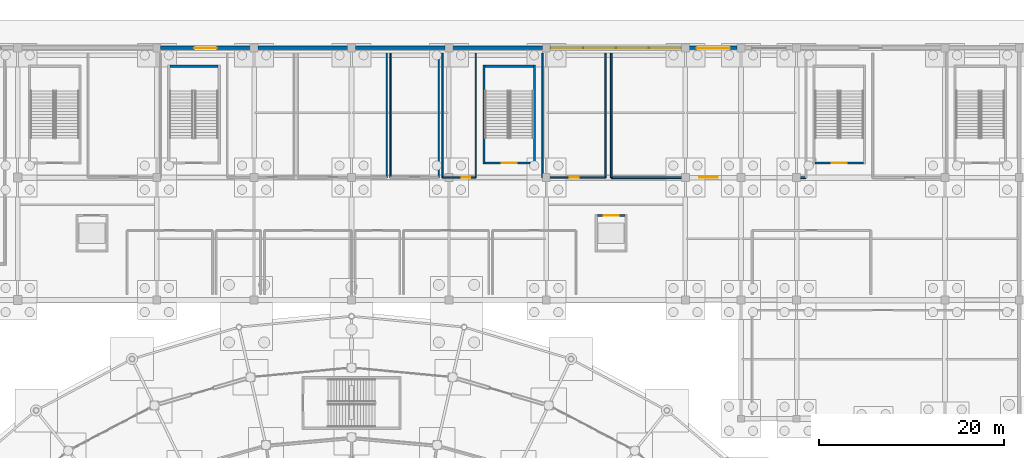
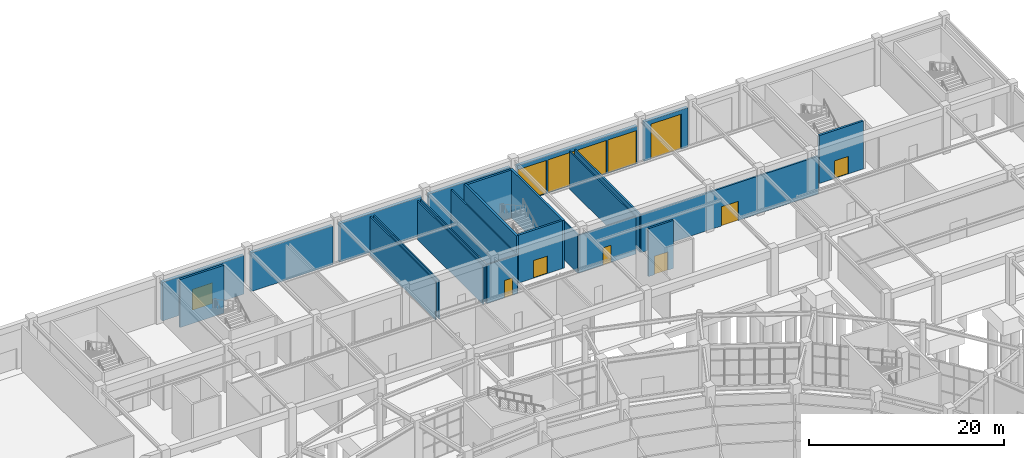
# One storey, part 94 of 121: 24 walls, 12 doors, 12 openings.
"""IFC4 building model written with IfcOpenShell, lengths in metres."""

from ifc_helpers import new_model, si_unit, direction, frame, frame_2d, origin, place, context, subcontext, project, spatial, rectangle, extrude, material, layer, layer_set, type_object, element, fill, save


model = new_model("IFC4")

# Units and contexts
model_context = context("Model", 3, precision=1e-05, world=origin(), true_north=direction((0.0, 1.0)))
body_context = subcontext(model_context, "Body", "Model", "MODEL_VIEW")
ifc_project = project(units=[si_unit("LENGTHUNIT", "METRE"), si_unit("AREAUNIT", "SQUARE_METRE"), si_unit("VOLUMEUNIT", "CUBIC_METRE"), si_unit("PLANEANGLEUNIT", "RADIAN"), si_unit("MASSUNIT", "GRAM", prefix="KILO")], contexts=[model_context])

# Site, building, storey
site_placement = place(None, origin())
site = spatial("IfcSite", under=ifc_project, at=site_placement, CompositionType="ELEMENT")
building_placement = place(site_placement, origin())
building = spatial("IfcBuilding", under=site, at=building_placement, Name="Cuetzalor Civic Arena", CompositionType="ELEMENT")
storey_placement = place(building_placement, origin())
storey = spatial("IfcBuildingStorey", under=building, at=storey_placement, Name="L00", CompositionType="ELEMENT", Elevation=0.0)

# Walls
ifc_material_1 = material(Name="Acoustic steel-stud gypsum partition", Category="steel")
ifc_layer_1 = layer(ifc_material_1, 0.14990234375)
ifc_layer_set_1 = layer_set([ifc_layer_1], Name="Acoustic steel-stud gypsum partition")
wall_type_1 = type_object("IfcWallType", Name="AcousticGypsumPartition_150", PredefinedType="PARTITIONING", material=ifc_layer_set_1)
for number, where, z_axis, x_axis, name in (
    (1, (3.800048828125, 74.89990234375, 0.0), (0.0, 0.0, 1.0), (0.0, -1.0, 0.0), "Interior Partition IWALL:L00:0141"),
    (2, (9.39990234375, 74.89990234375, 0.0), (0.0, 0.0, 1.0), (0.0, -1.0, 0.0), "Interior Partition IWALL:L00:0144"),
    (3, (4.199951171875, 61.5, 0.0), (0.0, 0.0, 1.0), (0.0, 1.0, 0.0), "Interior Partition IWALL:L00:0145"),
):
    element("IfcWall", number, at=place(storey_placement, frame(where, z_axis=z_axis, x_axis=x_axis)), inside=storey, type_object=wall_type_1, Name=name, PredefinedType="PARTITIONING", context=body_context, shape_type="SweptSolid", body=[
        extrude(rectangle(XDim=13.39990234375, YDim=0.14990234375, at=frame_2d((6.699951171875, 0.0))), origin(), (0.0, 0.0, 1.0), 4.824951171875),
    ])

# Wall, opening, door
wall_1_placement = place(storey_placement, frame((13.39990234375, 61.5, 0.0), z_axis=(0.0, 0.0, 1.0), x_axis=(-1.0, 0.0, 0.0)))
wall_1 = element("IfcWall", 4, at=wall_1_placement, inside=storey, type_object=wall_type_1, Name="Interior Partition IWALL:L00:0146", PredefinedType="PARTITIONING", context=body_context, shape_type="SweptSolid", body=[
    extrude(rectangle(XDim=3.599853515625, YDim=0.14990234375, at=frame_2d((1.7998046875, 0.0))), origin(), (0.0, 0.0, 1.0), 4.824951171875),
])
opening_1_placement = place(wall_1_placement, frame((0.574951171875, 0.0, 0.0)))
opening_1 = element("IfcOpeningElement", 5, at=opening_1_placement, cuts=wall_1, Name="Opening ID-03", PredefinedType="OPENING", context=body_context, shape_type="SweptSolid", body=[
    extrude(rectangle(XDim=0.949951171875, YDim=2.14990234375, at=frame_2d((0.47509765625, 1.074951171875))), frame((0.0, 0.0849609375, 0.0), z_axis=(0.0, -1.0, 0.0), x_axis=(1.0, 0.0, 0.0)), (0.0, 0.0, 1.0), 0.169921875),
])
ifc_material_2 = material(Name="Painted steel frame and solid timber leaf", Category="steel")
door_type_1 = type_object("IfcDoorType", Name="InteriorSingleDoor_950x2150", OperationType="NOTDEFINED", PredefinedType="DOOR", material=ifc_material_2)
door_1_placement = place(opening_1_placement, origin())
door_1 = element("IfcDoor", 6, at=door_1_placement, inside=storey, type_object=door_type_1, Name="Door to Sports Medicine Clinic", OperationType="SINGLE_SWING_RIGHT", OverallHeight=2.14990234375, OverallWidth=0.949951171875, PredefinedType="DOOR", context=body_context, shape_type="SweptSolid", body=[
    extrude(rectangle(XDim=0.949951171875, YDim=2.14990234375, at=frame_2d((0.47509765625, 1.074951171875))), frame((0.0, 0.02490234375, 0.0), z_axis=(0.0, -1.0, 0.0), x_axis=(1.0, 0.0, 0.0)), (0.0, 0.0, 1.0), 0.050048828125),
])
fill(opening_1, door_1)

# Walls
for number, where, z_axis, x_axis, name in (
    (7, (13.39990234375, 74.89990234375, 0.0), (0.0, 0.0, 1.0), (0.0, -1.0, 0.0), "Interior Partition IWALL:L00:0147"),
    (8, (9.800048828125, 61.5, 0.0), (0.0, 0.0, 1.0), (0.0, 1.0, 0.0), "Interior Partition IWALL:L00:0148"),
):
    element("IfcWall", number, at=place(storey_placement, frame(where, z_axis=z_axis, x_axis=x_axis)), inside=storey, type_object=wall_type_1, Name=name, PredefinedType="PARTITIONING", context=body_context, shape_type="SweptSolid", body=[
        extrude(rectangle(XDim=13.39990234375, YDim=0.14990234375, at=frame_2d((6.699951171875, 0.0))), origin(), (0.0, 0.0, 1.0), 4.824951171875),
    ])

# Wall, opening, door
wall_2_placement = place(storey_placement, frame((27.39990234375, 61.5, 0.0), z_axis=(0.0, 0.0, 1.0), x_axis=(-1.0, 0.0, 0.0)))
wall_2 = element("IfcWall", 9, at=wall_2_placement, inside=storey, type_object=wall_type_1, Name="Interior Partition IWALL:L00:0149", PredefinedType="PARTITIONING", context=body_context, shape_type="SweptSolid", body=[
    extrude(rectangle(XDim=6.7998046875, YDim=0.14990234375, at=frame_2d((3.39990234375, 0.0))), origin(), (0.0, 0.0, 1.0), 4.72509765625),
])
opening_2_placement = place(wall_2_placement, frame((2.925048828125, 0.0, 0.0)))
opening_2 = element("IfcOpeningElement", 10, at=opening_2_placement, cuts=wall_2, Name="Opening ID-03", PredefinedType="OPENING", context=body_context, shape_type="SweptSolid", body=[
    extrude(rectangle(XDim=0.949951171875, YDim=2.14990234375, at=frame_2d((0.47509765625, 1.074951171875))), frame((0.0, 0.0849609375, 0.0), z_axis=(0.0, -1.0, 0.0), x_axis=(1.0, 0.0, 0.0)), (0.0, 0.0, 1.0), 0.169921875),
])
door_2_placement = place(opening_2_placement, origin())
door_2 = element("IfcDoor", 11, at=door_2_placement, inside=storey, type_object=door_type_1, Name="Door to Doping Control Suite", OperationType="SINGLE_SWING_LEFT", OverallHeight=2.14990234375, OverallWidth=0.949951171875, PredefinedType="DOOR", context=body_context, shape_type="SweptSolid", body=[
    extrude(rectangle(XDim=0.949951171875, YDim=2.14990234375, at=frame_2d((0.47509765625, 1.074951171875))), frame((0.0, 0.02490234375, 0.0), z_axis=(0.0, -1.0, 0.0), x_axis=(1.0, 0.0, 0.0)), (0.0, 0.0, 1.0), 0.050048828125),
])
fill(opening_2, door_2)

# Walls
wall_3_placement = place(storey_placement, frame((27.39990234375, 74.89990234375, 0.0), z_axis=(0.0, 0.0, 1.0), x_axis=(0.0, -1.0, 0.0)))
element("IfcWall", 12, at=wall_3_placement, inside=storey, type_object=wall_type_1, Name="Interior Partition IWALL:L00:0150", PredefinedType="PARTITIONING", context=body_context, shape_type="SweptSolid", body=[
    extrude(rectangle(XDim=13.39990234375, YDim=0.14990234375, at=frame_2d((6.699951171875, 0.0))), origin(), (0.0, 0.0, 1.0), 4.72509765625),
])
wall_4_placement = place(storey_placement, frame((20.60009765625, 61.5, 0.0), z_axis=(0.0, 0.0, 1.0), x_axis=(0.0, 1.0, 0.0)))
element("IfcWall", 13, at=wall_4_placement, inside=storey, type_object=wall_type_1, Name="Interior Partition IWALL:L00:0151", PredefinedType="PARTITIONING", context=body_context, shape_type="SweptSolid", body=[
    extrude(rectangle(XDim=13.39990234375, YDim=0.14990234375, at=frame_2d((6.699951171875, 0.0))), origin(), (0.0, 0.0, 1.0), 4.824951171875),
])

# Wall, opening, door
ifc_material_3 = material(Name="Dark volcanic basalt ashlar on Concrete C35/45", Category="masonry")
ifc_layer_2 = layer(ifc_material_3, 0.35009765625)
ifc_layer_set_2 = layer_set([ifc_layer_2], Name="Dark volcanic basalt ashlar on Concrete C35/45")
wall_type_2 = type_object("IfcWallType", Name="BasaltAshlarWall_350", PredefinedType="SOLIDWALL", material=ifc_layer_set_2)
wall_5_placement = place(storey_placement, frame((-20.593017578125, 75.5, 0.0), z_axis=(0.0, 0.0, 1.0), x_axis=(1.0, 0.0, 0.0)))
wall_5 = element("IfcWall", 14, at=wall_5_placement, inside=storey, type_object=wall_type_2, Name="North Basalt Facade Wall L00-192", PredefinedType="SOLIDWALL", context=body_context, shape_type="SweptSolid", body=[
    extrude(rectangle(XDim=9.68603515625, YDim=0.35009765625, at=frame_2d((4.843017578125, 0.0))), origin(), (0.0, 0.0, 1.0), 4.840087890625),
])
opening_3_placement = place(wall_5_placement, frame((3.64306640625, 0.0, 0.0)))
opening_3 = element("IfcOpeningElement", 15, at=opening_3_placement, cuts=wall_5, Name="Opening ED-08", PredefinedType="OPENING", context=body_context, shape_type="SweptSolid", body=[
    extrude(rectangle(XDim=2.39990234375, YDim=2.60009765625, at=frame_2d((1.199951171875, 1.300048828125))), frame((0.0, 0.18505859375, 0.0), z_axis=(0.0, -1.0, 0.0), x_axis=(1.0, 0.0, 0.0)), (0.0, 0.0, 1.0), 0.3701171875),
])
ifc_material_4 = material(Name="Thermally broken bronze steel and laminated glass", Category="steel")
door_type_2 = type_object("IfcDoorType", Name="PedestrianExitPortal_2400x2600", OperationType="DOUBLE_DOOR_SINGLE_SWING", PredefinedType="DOOR", material=ifc_material_4)
door_3_placement = place(opening_3_placement, origin())
door_3 = element("IfcDoor", 16, at=door_3_placement, inside=storey, type_object=door_type_2, Name="Main entrance E19", OperationType="DOUBLE_DOOR_SINGLE_SWING", OverallHeight=2.60009765625, OverallWidth=2.39990234375, PredefinedType="DOOR", context=body_context, shape_type="SweptSolid", body=[
    extrude(rectangle(XDim=2.39990234375, YDim=2.60009765625, at=frame_2d((1.199951171875, 1.300048828125))), frame((0.0, 0.02490234375, 0.0), z_axis=(0.0, -1.0, 0.0), x_axis=(1.0, 0.0, 0.0)), (0.0, 0.0, 1.0), 0.050048828125),
])
fill(opening_3, door_3)

# Walls
for number, where, z_axis, x_axis, name in (
    (17, (-10.093017578125, 75.5, 0.0), (0.0, 0.0, 1.0), (1.0, 0.0, 0.0), "North Basalt Facade Wall L00-193"),
    (18, (0.406982421875, 75.5, 0.0), (0.0, 0.0, 1.0), (1.0, 0.0, 0.0), "North Basalt Facade Wall L00-194"),
    (19, (10.906982421875, 75.5, 0.0), (0.0, 0.0, 1.0), (1.0, 0.0, 0.0), "North Basalt Facade Wall L00-195"),
):
    element("IfcWall", number, at=place(storey_placement, frame(where, z_axis=z_axis, x_axis=x_axis)), inside=storey, type_object=wall_type_2, Name=name, PredefinedType="SOLIDWALL", context=body_context, shape_type="SweptSolid", body=[
        extrude(rectangle(XDim=9.68603515625, YDim=0.35009765625, at=frame_2d((4.843017578125, 0.0))), origin(), (0.0, 0.0, 1.0), 4.840087890625),
    ])

# Wall, openings, doors
wall_6_placement = place(storey_placement, frame((21.406982421875, 75.5, 0.0), z_axis=(0.0, 0.0, 1.0), x_axis=(1.0, 0.0, 0.0)))
wall_6 = element("IfcWall", 20, at=wall_6_placement, inside=storey, type_object=wall_type_2, Name="North Basalt Facade Wall L00-196", PredefinedType="SOLIDWALL", context=body_context, shape_type="SweptSolid", body=[
    extrude(rectangle(XDim=14.18603515625, YDim=0.35009765625, at=frame_2d((7.093017578125, 0.0))), origin(), (0.0, 0.0, 1.0), 4.739990234375),
])
opening_4_placement = place(wall_6_placement, frame((0.0732421875, 0.0, 0.0)))
opening_4 = element("IfcOpeningElement", 21, at=opening_4_placement, cuts=wall_6, Name="Opening LDK-01", PredefinedType="OPENING", context=body_context, shape_type="SweptSolid", body=[
    extrude(rectangle(XDim=3.39990234375, YDim=4.199951171875, at=frame_2d((1.699951171875, 2.10009765625))), frame((0.0, 0.18505859375, 0.0), z_axis=(0.0, -1.0, 0.0), x_axis=(1.0, 0.0, 0.0)), (0.0, 0.0, 1.0), 0.3701171875),
])
opening_5_placement = place(wall_6_placement, frame((3.619873046875, 0.0, 0.0)))
opening_5 = element("IfcOpeningElement", 22, at=opening_5_placement, cuts=wall_6, Name="Opening LDK-01", PredefinedType="OPENING", context=body_context, shape_type="SweptSolid", body=[
    extrude(rectangle(XDim=3.39990234375, YDim=4.199951171875, at=frame_2d((1.699951171875, 2.10009765625))), frame((0.0, 0.18505859375, 0.0), z_axis=(0.0, -1.0, 0.0), x_axis=(1.0, 0.0, 0.0)), (0.0, 0.0, 1.0), 0.3701171875),
])
opening_6_placement = place(wall_6_placement, frame((7.166259765625, 0.0, 0.0)))
opening_6 = element("IfcOpeningElement", 23, at=opening_6_placement, cuts=wall_6, Name="Opening LDK-01", PredefinedType="OPENING", context=body_context, shape_type="SweptSolid", body=[
    extrude(rectangle(XDim=3.39990234375, YDim=4.199951171875, at=frame_2d((1.699951171875, 2.10009765625))), frame((0.0, 0.18505859375, 0.0), z_axis=(0.0, -1.0, 0.0), x_axis=(1.0, 0.0, 0.0)), (0.0, 0.0, 1.0), 0.3701171875),
])
opening_7_placement = place(wall_6_placement, frame((10.712890625, 0.0, 0.0)))
opening_7 = element("IfcOpeningElement", 24, at=opening_7_placement, cuts=wall_6, Name="Opening LDK-01", PredefinedType="OPENING", context=body_context, shape_type="SweptSolid", body=[
    extrude(rectangle(XDim=3.39990234375, YDim=4.199951171875, at=frame_2d((1.699951171875, 2.10009765625))), frame((0.0, 0.18505859375, 0.0), z_axis=(0.0, -1.0, 0.0), x_axis=(1.0, 0.0, 0.0)), (0.0, 0.0, 1.0), 0.3701171875),
])
ifc_material_5 = material(Name="Thermally broken bronze steel and laminated glass", Category="steel")
door_type_3 = type_object("IfcDoorType", Name="LoadingDockShutter_3400x4200", OperationType="ROLLINGUP", PredefinedType="DOOR", material=ifc_material_5)
door_4_placement = place(opening_4_placement, origin())
door_4 = element("IfcDoor", 25, at=door_4_placement, inside=storey, type_object=door_type_3, Name="Loading Dock Bay Shutter 9-1", OperationType="ROLLINGUP", OverallHeight=4.199951171875, OverallWidth=3.39990234375, PredefinedType="DOOR", context=body_context, shape_type="SweptSolid", body=[
    extrude(rectangle(XDim=3.39990234375, YDim=4.199951171875, at=frame_2d((1.699951171875, 2.10009765625))), frame((0.0, 0.02490234375, 0.0), z_axis=(0.0, -1.0, 0.0), x_axis=(1.0, 0.0, 0.0)), (0.0, 0.0, 1.0), 0.050048828125),
])
fill(opening_4, door_4)
door_5_placement = place(opening_5_placement, origin())
door_5 = element("IfcDoor", 26, at=door_5_placement, inside=storey, type_object=door_type_3, Name="Loading Dock Bay Shutter 9-2", OperationType="ROLLINGUP", OverallHeight=4.199951171875, OverallWidth=3.39990234375, PredefinedType="DOOR", context=body_context, shape_type="SweptSolid", body=[
    extrude(rectangle(XDim=3.39990234375, YDim=4.199951171875, at=frame_2d((1.699951171875, 2.10009765625))), frame((0.0, 0.02490234375, 0.0), z_axis=(0.0, -1.0, 0.0), x_axis=(1.0, 0.0, 0.0)), (0.0, 0.0, 1.0), 0.050048828125),
])
fill(opening_5, door_5)
door_6_placement = place(opening_6_placement, origin())
door_6 = element("IfcDoor", 27, at=door_6_placement, inside=storey, type_object=door_type_3, Name="Loading Dock Bay Shutter 9-3", OperationType="ROLLINGUP", OverallHeight=4.199951171875, OverallWidth=3.39990234375, PredefinedType="DOOR", context=body_context, shape_type="SweptSolid", body=[
    extrude(rectangle(XDim=3.39990234375, YDim=4.199951171875, at=frame_2d((1.699951171875, 2.10009765625))), frame((0.0, 0.02490234375, 0.0), z_axis=(0.0, -1.0, 0.0), x_axis=(1.0, 0.0, 0.0)), (0.0, 0.0, 1.0), 0.050048828125),
])
fill(opening_6, door_6)
door_7_placement = place(opening_7_placement, origin())
door_7 = element("IfcDoor", 28, at=door_7_placement, inside=storey, type_object=door_type_3, Name="Loading Dock Bay Shutter 9-4", OperationType="ROLLINGUP", OverallHeight=4.199951171875, OverallWidth=3.39990234375, PredefinedType="DOOR", context=body_context, shape_type="SweptSolid", body=[
    extrude(rectangle(XDim=3.39990234375, YDim=4.199951171875, at=frame_2d((1.699951171875, 2.10009765625))), frame((0.0, 0.02490234375, 0.0), z_axis=(0.0, -1.0, 0.0), x_axis=(1.0, 0.0, 0.0)), (0.0, 0.0, 1.0), 0.050048828125),
])
fill(opening_7, door_7)

# Wall, opening, door
wall_7_placement = place(storey_placement, frame((36.406982421875, 75.5, 0.0), z_axis=(0.0, 0.0, 1.0), x_axis=(1.0, 0.0, 0.0)))
wall_7 = element("IfcWall", 29, at=wall_7_placement, inside=storey, type_object=wall_type_2, Name="North Basalt Facade Wall L00-197", PredefinedType="SOLIDWALL", context=body_context, shape_type="SweptSolid", body=[
    extrude(rectangle(XDim=5.18603515625, YDim=0.35009765625, at=frame_2d((2.593017578125, 0.0))), origin(), (0.0, 0.0, 1.0), 4.93994140625),
])
opening_8_placement = place(wall_7_placement, frame((0.79296875, 0.0, 0.0)))
opening_8 = element("IfcOpeningElement", 30, at=opening_8_placement, cuts=wall_7, Name="Opening LDK-02", PredefinedType="OPENING", context=body_context, shape_type="SweptSolid", body=[
    extrude(rectangle(XDim=3.60009765625, YDim=4.39990234375, at=frame_2d((1.800048828125, 2.199951171875))), frame((0.0, 0.18505859375, 0.0), z_axis=(0.0, -1.0, 0.0), x_axis=(1.0, 0.0, 0.0)), (0.0, 0.0, 1.0), 0.3701171875),
])
ifc_material_6 = material(Name="Thermally broken bronze steel and laminated glass", Category="steel")
door_type_4 = type_object("IfcDoorType", Name="LoadingDockShutter_3600x4400", OperationType="ROLLINGUP", PredefinedType="DOOR", material=ifc_material_6)
door_8_placement = place(opening_8_placement, origin())
door_8 = element("IfcDoor", 31, at=door_8_placement, inside=storey, type_object=door_type_4, Name="Loading Dock Bay Shutter 10-1", OperationType="ROLLINGUP", OverallHeight=4.39990234375, OverallWidth=3.60009765625, PredefinedType="DOOR", context=body_context, shape_type="SweptSolid", body=[
    extrude(rectangle(XDim=3.60009765625, YDim=4.39990234375, at=frame_2d((1.800048828125, 2.199951171875))), frame((0.0, 0.02490234375, 0.0), z_axis=(0.0, -1.0, 0.0), x_axis=(1.0, 0.0, 0.0)), (0.0, 0.0, 1.0), 0.050048828125),
])
fill(opening_8, door_8)

# Walls
ifc_material_7 = material(Name="Concrete C40/50", Category="concrete")
ifc_layer_3 = layer(ifc_material_7, 0.25)
ifc_layer_set_3 = layer_set([ifc_layer_3], Name="Concrete C40/50")
wall_type_3 = type_object("IfcWallType", Name="ConcreteCoreShearWall_250", PredefinedType="SHEAR", material=ifc_layer_set_3)
wall_8_placement = place(storey_placement, frame((-19.60009765625, 73.52490234375, 0.0), z_axis=(0.0, 0.0, 1.0), x_axis=(1.0, 0.0, 0.0)))
element("IfcWall", 32, at=wall_8_placement, inside=storey, type_object=wall_type_3, Name="Stair Core Shear Wall ST-25-L00-N", PredefinedType="SHEAR", context=body_context, shape_type="SweptSolid", body=[
    extrude(rectangle(XDim=5.2001953125, YDim=0.25, at=frame_2d((2.60009765625, 0.0))), origin(), (0.0, 0.0, 1.0), 6.0),
])
wall_9_placement = place(storey_placement, frame((14.27490234375, 62.949951171875, 0.0), z_axis=(0.0, 0.0, 1.0), x_axis=(0.0, 1.0, 0.0)))
element("IfcWall", 33, at=wall_9_placement, inside=storey, type_object=wall_type_3, Name="Stair Core Shear Wall ST-26-L00-W", PredefinedType="SHEAR", context=body_context, shape_type="SweptSolid", body=[
    extrude(rectangle(XDim=10.699951171875, YDim=0.25, at=frame_2d((5.35009765625, 0.0))), origin(), (0.0, 0.0, 1.0), 6.0),
])
wall_10_placement = place(storey_placement, frame((14.39990234375, 73.52490234375, 0.0), z_axis=(0.0, 0.0, 1.0), x_axis=(1.0, 0.0, 0.0)))
element("IfcWall", 34, at=wall_10_placement, inside=storey, type_object=wall_type_3, Name="Stair Core Shear Wall ST-26-L00-N", PredefinedType="SHEAR", context=body_context, shape_type="SweptSolid", body=[
    extrude(rectangle(XDim=5.2001953125, YDim=0.25, at=frame_2d((2.60009765625, 0.0))), origin(), (0.0, 0.0, 1.0), 6.0),
])
wall_11_placement = place(storey_placement, frame((19.72509765625, 73.64990234375, 0.0), z_axis=(0.0, 0.0, 1.0), x_axis=(0.0, -1.0, 0.0)))
element("IfcWall", 35, at=wall_11_placement, inside=storey, type_object=wall_type_3, Name="Stair Core Shear Wall ST-26-L00-E", PredefinedType="SHEAR", context=body_context, shape_type="SweptSolid", body=[
    extrude(rectangle(XDim=10.699951171875, YDim=0.25, at=frame_2d((5.35009765625, 0.0))), origin(), (0.0, 0.0, 1.0), 6.0),
])

# Wall, opening, door
wall_12_placement = place(storey_placement, frame((19.60009765625, 63.074951171875, 0.0), z_axis=(0.0, 0.0, 1.0), x_axis=(-1.0, 0.0, 0.0)))
wall_12 = element("IfcWall", 36, at=wall_12_placement, inside=storey, type_object=wall_type_3, Name="Stair Core Shear Wall ST-26-L00-S", PredefinedType="SHEAR", context=body_context, shape_type="SweptSolid", body=[
    extrude(rectangle(XDim=5.2001953125, YDim=0.25, at=frame_2d((2.60009765625, 0.0))), origin(), (0.0, 0.0, 1.0), 6.0),
])
opening_9_placement = place(wall_12_placement, frame((1.77490234375, 0.0, 0.0)))
opening_9 = element("IfcOpeningElement", 37, at=opening_9_placement, cuts=wall_12, Name="Opening FD-04", PredefinedType="OPENING", context=body_context, shape_type="SweptSolid", body=[
    extrude(rectangle(XDim=1.64990234375, YDim=2.199951171875, at=frame_2d((0.824951171875, 1.10009765625))), frame((0.0, 0.135009765625, 0.0), z_axis=(0.0, -1.0, 0.0), x_axis=(1.0, 0.0, 0.0)), (0.0, 0.0, 1.0), 0.27001953125),
])
ifc_material_8 = material(Name="Fire-rated steel stair exit double door", Category="steel")
door_type_5 = type_object("IfcDoorType", Name="StairFireDoubleDoor_1650x2200", OperationType="DOUBLE_DOOR_SINGLE_SWING", PredefinedType="DOOR", material=ifc_material_8)
door_9_placement = place(opening_9_placement, origin())
door_9 = element("IfcDoor", 38, at=door_9_placement, inside=storey, type_object=door_type_5, Name="Fire Stair Door ST-26 L00", OperationType="DOUBLE_DOOR_SINGLE_SWING", OverallHeight=2.199951171875, OverallWidth=1.64990234375, PredefinedType="DOOR", context=body_context, shape_type="SweptSolid", body=[
    extrude(rectangle(XDim=1.64990234375, YDim=2.199951171875, at=frame_2d((0.824951171875, 1.10009765625))), frame((0.0, 0.02490234375, 0.0), z_axis=(0.0, -1.0, 0.0), x_axis=(1.0, 0.0, 0.0)), (0.0, 0.0, 1.0), 0.050048828125),
])
fill(opening_9, door_9)

wall_13_placement = place(storey_placement, frame((55.199951171875, 63.074951171875, 0.0), z_axis=(0.0, 0.0, 1.0), x_axis=(-1.0, 0.0, 0.0)))
wall_13 = element("IfcWall", 39, at=wall_13_placement, inside=storey, type_object=wall_type_3, Name="Stair Core Shear Wall ST-27-L00-S", PredefinedType="SHEAR", context=body_context, shape_type="SweptSolid", body=[
    extrude(rectangle(XDim=5.199951171875, YDim=0.25, at=frame_2d((2.60009765625, 0.0))), origin(), (0.0, 0.0, 1.0), 6.0),
])
opening_10_placement = place(wall_13_placement, frame((1.77490234375, 0.0, 0.0)))
opening_10 = element("IfcOpeningElement", 40, at=opening_10_placement, cuts=wall_13, Name="Opening FD-04", PredefinedType="OPENING", context=body_context, shape_type="SweptSolid", body=[
    extrude(rectangle(XDim=1.64990234375, YDim=2.199951171875, at=frame_2d((0.824951171875, 1.10009765625))), frame((0.0, 0.135009765625, 0.0), z_axis=(0.0, -1.0, 0.0), x_axis=(1.0, 0.0, 0.0)), (0.0, 0.0, 1.0), 0.27001953125),
])
door_10_placement = place(opening_10_placement, origin())
door_10 = element("IfcDoor", 41, at=door_10_placement, inside=storey, type_object=door_type_5, Name="Fire Stair Door ST-27 L00", OperationType="DOUBLE_DOOR_SINGLE_SWING", OverallHeight=2.199951171875, OverallWidth=1.64990234375, PredefinedType="DOOR", context=body_context, shape_type="SweptSolid", body=[
    extrude(rectangle(XDim=1.64990234375, YDim=2.199951171875, at=frame_2d((0.824951171875, 1.10009765625))), frame((0.0, 0.02490234375, 0.0), z_axis=(0.0, -1.0, 0.0), x_axis=(1.0, 0.0, 0.0)), (0.0, 0.0, 1.0), 0.050048828125),
])
fill(opening_10, door_10)

ifc_material_9 = material(Name="Fire-rated masonry and gypsum partition", Category="masonry")
ifc_layer_4 = layer(ifc_material_9, 0.199951171875)
ifc_layer_set_4 = layer_set([ifc_layer_4], Name="Fire-rated masonry and gypsum partition")
wall_type_4 = type_object("IfcWallType", Name="FireCompartmentWall_200", PredefinedType="PARTITIONING", material=ifc_layer_set_4)
wall_14_placement = place(storey_placement, frame((49.0, 61.5, 0.0), z_axis=(0.0, 0.0, 1.0), x_axis=(-1.0, 0.0, 0.0)))
wall_14 = element("IfcWall", 42, at=wall_14_placement, inside=storey, type_object=wall_type_4, Name="Interior Partition IWALL:L00:0170", PredefinedType="PARTITIONING", context=body_context, shape_type="SweptSolid", body=[
    extrude(rectangle(XDim=21.0, YDim=0.199951171875, at=frame_2d((10.5, 0.0))), origin(), (0.0, 0.0, 1.0), 4.72509765625),
])
opening_11_placement = place(wall_14_placement, frame((9.5, 0.0, 0.0)))
opening_11 = element("IfcOpeningElement", 43, at=opening_11_placement, cuts=wall_14, Name="Opening ID-08", PredefinedType="OPENING", context=body_context, shape_type="SweptSolid", body=[
    extrude(rectangle(XDim=2.0, YDim=2.39990234375, at=frame_2d((1.0, 1.199951171875))), frame((0.0, 0.10986328125, 0.0), z_axis=(0.0, -1.0, 0.0), x_axis=(1.0, 0.0, 0.0)), (0.0, 0.0, 1.0), 0.219970703125),
])
ifc_material_10 = material(Name="Heavy-duty steel back-of-house double door", Category="steel")
door_type_6 = type_object("IfcDoorType", Name="ServiceDoubleDoor_2000x2400", OperationType="DOUBLE_DOOR_SINGLE_SWING", PredefinedType="DOOR", material=ifc_material_10)
door_11_placement = place(opening_11_placement, origin())
door_11 = element("IfcDoor", 44, at=door_11_placement, inside=storey, type_object=door_type_6, Name="Door to Truck Loading Dock", OperationType="DOUBLE_DOOR_SINGLE_SWING", OverallHeight=2.39990234375, OverallWidth=2.0, PredefinedType="DOOR", context=body_context, shape_type="SweptSolid", body=[
    extrude(rectangle(XDim=2.0, YDim=2.39990234375, at=frame_2d((1.0, 1.199951171875))), frame((0.0, 0.02490234375, 0.0), z_axis=(0.0, -1.0, 0.0), x_axis=(1.0, 0.0, 0.0)), (0.0, 0.0, 1.0), 0.050048828125),
])
fill(opening_11, door_11)

# Wall
wall_15_placement = place(storey_placement, frame((28.0, 61.5, 0.0), z_axis=(0.0, 0.0, 1.0), x_axis=(0.0, 1.0, 0.0)))
element("IfcWall", 45, at=wall_15_placement, inside=storey, type_object=wall_type_4, Name="Interior Partition IWALL:L00:0171", PredefinedType="PARTITIONING", context=body_context, shape_type="SweptSolid", body=[
    extrude(rectangle(XDim=13.39990234375, YDim=0.199951171875, at=frame_2d((6.699951171875, 0.0))), origin(), (0.0, 0.0, 1.0), 4.72509765625),
])

# Wall, opening, door
ifc_material_11 = material(Name="Concrete C40/50", Category="concrete")
ifc_layer_5 = layer(ifc_material_11, 0.219970703125)
ifc_layer_set_5 = layer_set([ifc_layer_5], Name="Concrete C40/50")
wall_type_5 = type_object("IfcWallType", Name="LiftShaftShearWall_220", PredefinedType="SHEAR", material=ifc_layer_set_5)
wall_16_placement = place(storey_placement, frame((26.5, 57.409912109375, 0.0), z_axis=(0.0, 0.0, 1.0), x_axis=(1.0, 0.0, 0.0)))
wall_16 = element("IfcWall", 46, at=wall_16_placement, inside=storey, type_object=wall_type_5, Name="Lift Shaft Wall LS-02-L00-N", PredefinedType="SHEAR", context=body_context, shape_type="SweptSolid", body=[
    extrude(rectangle(XDim=3.0, YDim=0.219970703125, at=frame_2d((1.5, 0.0))), origin(), (0.0, 0.0, 1.0), 6.0),
])
opening_12_placement = place(wall_16_placement, frame((0.699951171875, 0.0, 0.0)))
opening_12 = element("IfcOpeningElement", 47, at=opening_12_placement, cuts=wall_16, Name="Opening LD-03", PredefinedType="OPENING", context=body_context, shape_type="SweptSolid", body=[
    extrude(rectangle(XDim=1.60009765625, YDim=2.300048828125, at=frame_2d((0.800048828125, 1.14990234375))), frame((0.0, 0.1201171875, 0.0), z_axis=(0.0, -1.0, 0.0), x_axis=(1.0, 0.0, 0.0)), (0.0, 0.0, 1.0), 0.239990234375),
])
ifc_material_12 = material(Name="Heavy freight stainless steel sliding lift landing door", Category="steel")
door_type_7 = type_object("IfcDoorType", Name="LiftLandingSlidingDoor_1600x2300", OperationType="SLIDING_TO_LEFT", PredefinedType="DOOR", material=ifc_material_12)
door_12_placement = place(opening_12_placement, origin())
door_12 = element("IfcDoor", 48, at=door_12_placement, inside=storey, type_object=door_type_7, Name="Lift Landing Sliding Door LS-02 L00", OperationType="SLIDING_TO_LEFT", OverallHeight=2.300048828125, OverallWidth=1.60009765625, PredefinedType="DOOR", context=body_context, shape_type="SweptSolid", body=[
    extrude(rectangle(XDim=1.60009765625, YDim=2.300048828125, at=frame_2d((0.800048828125, 1.14990234375))), frame((0.0, 0.02490234375, 0.0), z_axis=(0.0, -1.0, 0.0), x_axis=(1.0, 0.0, 0.0)), (0.0, 0.0, 1.0), 0.050048828125),
])
fill(opening_12, door_12)

save(model, "model.ifc")
